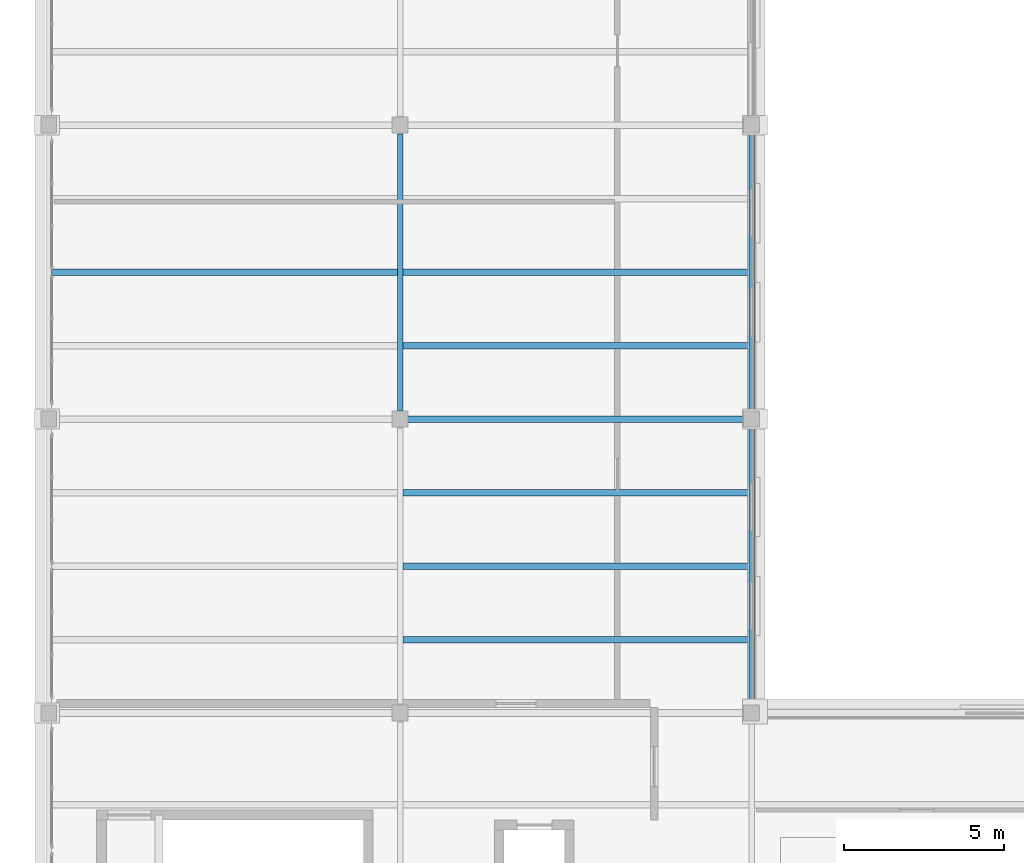
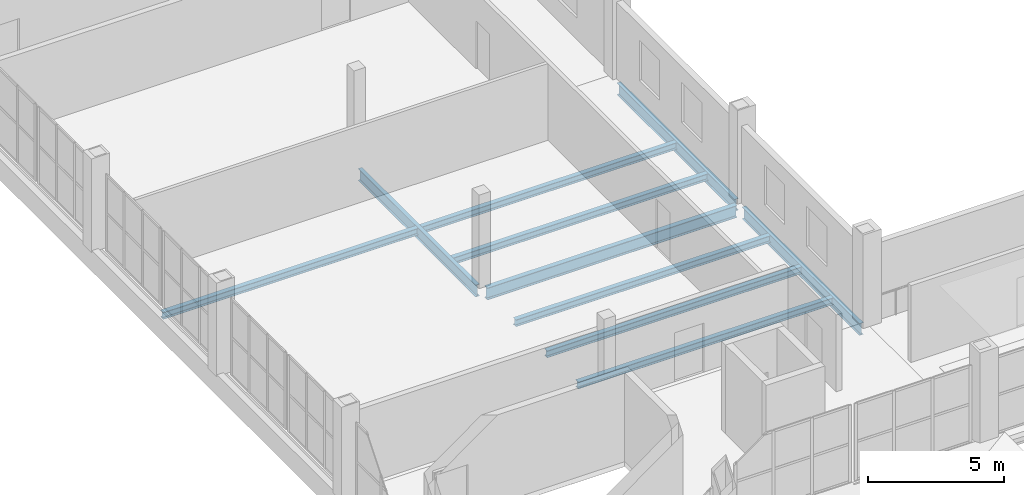
# One storey, part 14 of 26: 10 beams.
"""IFC4 building model written with IfcOpenShell, lengths in metres."""

from ifc_helpers import new_model, si_unit, direction, frame, origin, origin_2d, place, context, subcontext, project, spatial, i_section, extrude, material, material_profile, profile_set, type_object, element, save


model = new_model("IFC4")

# Units and contexts
model_context = context("Model", 3, precision=1e-05, world=origin(), true_north=direction((0.0, 1.0)))
body_context = subcontext(model_context, "Body", "Model", "MODEL_VIEW")
ifc_project = project(units=[si_unit("LENGTHUNIT", "METRE"), si_unit("AREAUNIT", "SQUARE_METRE"), si_unit("VOLUMEUNIT", "CUBIC_METRE"), si_unit("PLANEANGLEUNIT", "RADIAN"), si_unit("MASSUNIT", "GRAM", prefix="KILO")], contexts=[model_context])

# Site, building, storey
site_placement = place(None, origin())
site = spatial("IfcSite", under=ifc_project, at=site_placement, CompositionType="ELEMENT")
building_placement = place(site_placement, origin())
building = spatial("IfcBuilding", under=site, at=building_placement, Name="Caurita Quay Ferry Terminal", CompositionType="ELEMENT")
storey_placement = place(building_placement, frame((0.0, 0.0, 18.300048828125)))
storey = spatial("IfcBuildingStorey", under=building, at=storey_placement, Name="L04", CompositionType="ELEMENT", Elevation=18.300048828125)

# Beams
ifc_material = material(Name="Structural steel ASTM A992 Gr. 50", Category="steel")
ifc_material_profile_1 = material_profile(ifc_material, i_section(OverallWidth=0.210693359375, OverallDepth=0.53857421875, WebThickness=0.01171875, FlangeThickness=0.018798828125, FilletRadius=0.013916015625, at=origin_2d()), Name="W21X73")
ifc_profile_set_1 = profile_set([ifc_material_profile_1], Name="Structural steel ASTM A992 Gr. 50")
beam_type_1 = type_object("IfcBeamType", Name="BM-GR-W21A", PredefinedType="BEAM", material=ifc_profile_set_1)
beam_placement = place(storey_placement, frame((11.19140625, 89.39990234375, -0.4892578125), z_axis=(1.0, 0.0, 0.0), x_axis=(0.0, 1.0, 0.0)))
element("IfcBeam", 1, at=beam_placement, inside=storey, type_object=beam_type_1, Name="L04 Beam BM-V5-L04-X-112-894", PredefinedType="BEAM", context=body_context, shape_type="SweptSolid", body=[
    extrude(i_section(OverallWidth=0.210693359375, OverallDepth=0.53857421875, WebThickness=0.01171875, FlangeThickness=0.018798828125, FilletRadius=0.013916015625, at=origin_2d()), origin(), (0.0, 0.0, 1.0), 10.6171875),
])
ifc_material_profile_2 = material_profile(ifc_material, i_section(OverallWidth=0.20458984375, OverallDepth=0.307373046875, WebThickness=0.008544921875, FlangeThickness=0.0146484375, FilletRadius=0.0126953125, at=origin_2d()), Name="W12X45")
ifc_profile_set_2 = profile_set([ifc_material_profile_2], Name="Structural steel ASTM A992 Gr. 50")
beam_type_2 = type_object("IfcBeamType", Name="BM-JS-W12B", PredefinedType="JOIST", material=ifc_profile_set_2)
for number, where, z_axis, x_axis, name in (
    (2, (0.083251953125, 94.0, -0.373779296875), (1.0, 0.0, 0.0), (0.0, 1.0, 0.0), "L04 Beam JS-V5-L04-006"),
    (3, (11.083251953125, 82.5, -0.373779296875), (1.0, 0.0, 0.0), (0.0, 1.0, 0.0), "L04 Beam JS-V5-L04-013"),
    (4, (11.083251953125, 84.800048828125, -0.373779296875), (1.0, 0.0, 0.0), (0.0, 1.0, 0.0), "L04 Beam JS-V5-L04-014"),
    (5, (11.083251953125, 87.10009765625, -0.373779296875), (1.0, 0.0, 0.0), (0.0, 1.0, 0.0), "L04 Beam JS-V5-L04-015"),
    (6, (11.083251953125, 91.699951171875, -0.373779296875), (1.0, 0.0, 0.0), (0.0, 1.0, 0.0), "L04 Beam JS-V5-L04-016"),
    (7, (11.083251953125, 94.0, -0.373779296875), (1.0, 0.0, 0.0), (0.0, 1.0, 0.0), "L04 Beam JS-V5-L04-017"),
):
    element("IfcBeam", number, at=place(storey_placement, frame(where, z_axis=z_axis, x_axis=x_axis)), inside=storey, type_object=beam_type_2, Name=name, PredefinedType="JOIST", context=body_context, shape_type="SweptSolid", body=[
        extrude(i_section(OverallWidth=0.20458984375, OverallDepth=0.307373046875, WebThickness=0.008544921875, FlangeThickness=0.0146484375, FilletRadius=0.0126953125, at=origin_2d()), origin(), (0.0, 0.0, 1.0), 10.83349609375),
    ])
ifc_material_profile_3 = material_profile(ifc_material, i_section(OverallWidth=0.16650390625, OverallDepth=0.535888671875, WebThickness=0.01025390625, FlangeThickness=0.0166015625, FilletRadius=0.013916015625, at=origin_2d()), Name="W21X57")
ifc_profile_set_3 = profile_set([ifc_material_profile_3], Name="Structural steel ASTM A992 Gr. 50")
beam_type_3 = type_object("IfcBeamType", Name="BM-SP-W21B", PredefinedType="SPANDREL", material=ifc_profile_set_3)
for number, where, z_axis, x_axis, name in (
    (8, (11.0, 89.67626953125, -0.488037109375), (0.0, 1.0, 0.0), (-1.0, 0.0, 0.0), "L04 Beam BM-V5-L04-Y-110-897"),
    (9, (22.0, 80.476318359375, -0.488037109375), (0.0, 1.0, 0.0), (-1.0, 0.0, 0.0), "L04 Beam BM-V5-L04-Y-220-805"),
    (10, (22.0, 89.67626953125, -0.488037109375), (0.0, 1.0, 0.0), (-1.0, 0.0, 0.0), "L04 Beam BM-V5-L04-Y-220-897"),
):
    element("IfcBeam", number, at=place(storey_placement, frame(where, z_axis=z_axis, x_axis=x_axis)), inside=storey, type_object=beam_type_3, Name=name, PredefinedType="SPANDREL", context=body_context, shape_type="SweptSolid", body=[
        extrude(i_section(OverallWidth=0.16650390625, OverallDepth=0.535888671875, WebThickness=0.01025390625, FlangeThickness=0.0166015625, FilletRadius=0.013916015625, at=origin_2d()), origin(), (0.0, 0.0, 1.0), 8.6474609375),
    ])

save(model, "model.ifc")
